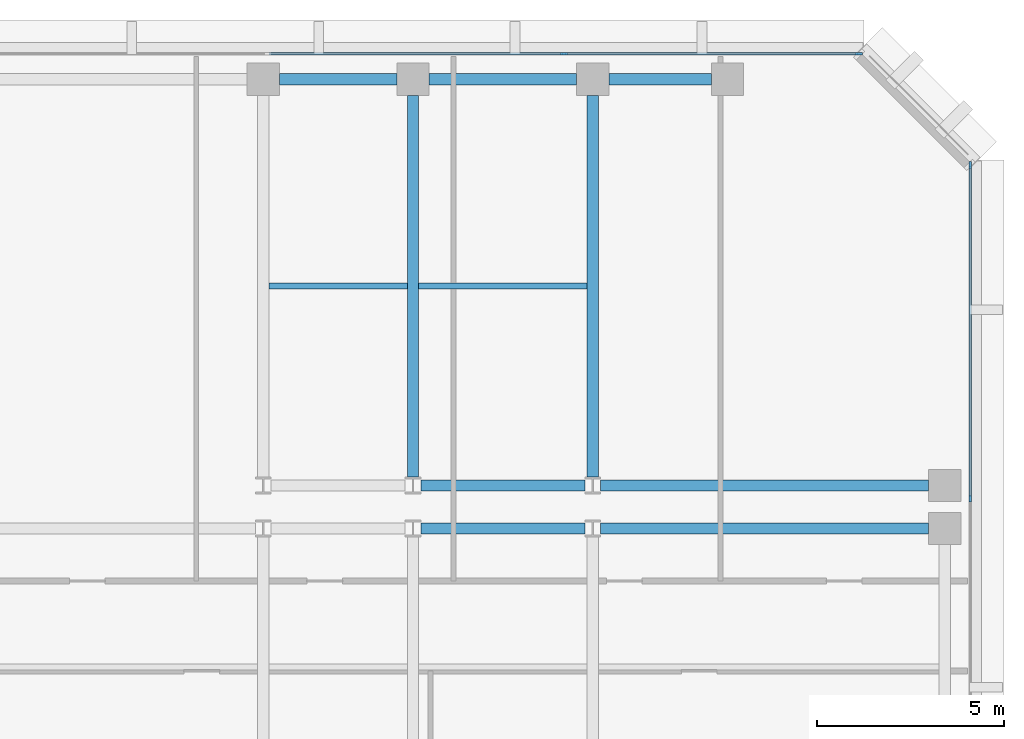
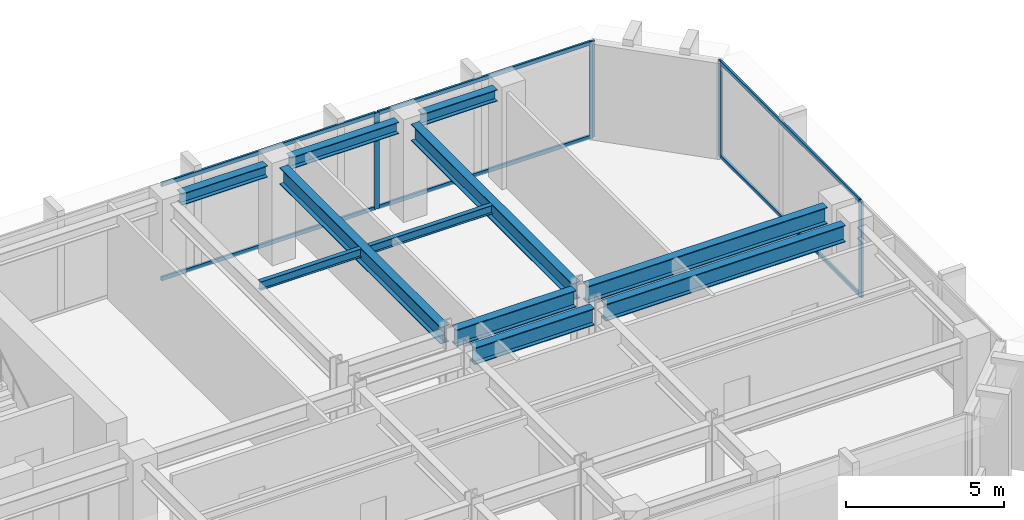
# One storey, part 5 of 11: 11 beams, 10 members, 2 elements without a shape of their own.
"""IFC4 building model written with IfcOpenShell, lengths in metres."""

from ifc_helpers import new_model, si_unit, direction, frame, origin, origin_2d, place, context, subcontext, project, spatial, rectangle, i_section, extrude, material, layer, layer_set, material_profile, profile_set, type_object, element, aggregate, save


model = new_model("IFC4")

# Units and contexts
model_context = context("Model", 3, precision=1e-05, world=origin(), true_north=direction((0.0, 1.0)))
body_context = subcontext(model_context, "Body", "Model", "MODEL_VIEW")
ifc_project = project(units=[si_unit("LENGTHUNIT", "METRE"), si_unit("AREAUNIT", "SQUARE_METRE"), si_unit("VOLUMEUNIT", "CUBIC_METRE"), si_unit("PLANEANGLEUNIT", "RADIAN"), si_unit("MASSUNIT", "GRAM", prefix="KILO")], contexts=[model_context])

# Site, building, storey
site_placement = place(None, origin())
site = spatial("IfcSite", under=ifc_project, at=site_placement, CompositionType="ELEMENT")
building_placement = place(site_placement, origin())
building = spatial("IfcBuilding", under=site, at=building_placement, Name="Kefirva Bronze Tower", CompositionType="ELEMENT")
storey_placement = place(building_placement, frame((0.0, 0.0, 138.929931640625)))
storey = spatial("IfcBuildingStorey", under=building, at=storey_placement, Name="L33", CompositionType="ELEMENT", Elevation=138.929931640625)

# Curtain wall, members
ifc_material_1 = material(Name="Bronze anodised aluminium", Category="aluminium")
ifc_layer = layer(ifc_material_1, 0.199951171875, Name="Bronze anodised aluminium")
ifc_layer_set = layer_set([ifc_layer], Name="Bronze anodised aluminium")
curtain_wall_type = type_object("IfcCurtainWallType", Name="Unitised Bronze Ribbon Curtain Wall Zone 2", PredefinedType="USERDEFINED", material=ifc_layer_set)
curtain_wall_1_placement = place(storey_placement, origin())
curtain_wall_1 = element("IfcCurtainWall", 1, at=curtain_wall_1_placement, inside=storey, type_object=curtain_wall_type, Name="L33 Curtain Wall 4", ObjectType="UNITISED CURTAIN WALL", PredefinedType="USERDEFINED")
ifc_material_profile_1 = material_profile(ifc_material_1, rectangle(XDim=0.074951171875, YDim=0.179931640625, at=origin_2d()), Name="ALU 75x180")
ifc_profile_set_1 = profile_set([ifc_material_profile_1], Name="Bronze anodised aluminium")
member_type_1 = type_object("IfcMemberType", Name="Bronze Mullion 75x180", PredefinedType="MULLION", material=ifc_profile_set_1)
member_1_placement = place(storey_placement, frame((50.080078125, 34.0, 0.0), z_axis=(0.0, 0.0, 1.0), x_axis=(-1.0, 0.0, 0.0)))
member_1 = element("IfcMember", 2, at=member_1_placement, type_object=member_type_1, Name="CW-02 mullion 2", PredefinedType="MULLION", context=body_context, shape_type="SweptSolid", body=[
    extrude(rectangle(XDim=0.074951171875, YDim=0.179931640625, at=origin_2d()), origin(), (0.0, 0.0, 1.0), 3.7099609375),
])
member_2_placement = place(storey_placement, frame((50.080078125, 42.907470703125, 0.0), z_axis=(0.0, 0.0, 1.0), x_axis=(-1.0, 0.0, 0.0)))
member_2 = element("IfcMember", 3, at=member_2_placement, type_object=member_type_1, Name="CW-02 mullion 3", PredefinedType="MULLION", context=body_context, shape_type="SweptSolid", body=[
    extrude(rectangle(XDim=0.074951171875, YDim=0.179931640625, at=origin_2d()), origin(), (0.0, 0.0, 1.0), 3.7099609375),
])

curtain_wall_2_placement = place(storey_placement, origin())
curtain_wall_2 = element("IfcCurtainWall", 4, at=curtain_wall_2_placement, inside=storey, type_object=curtain_wall_type, Name="L33 Curtain Wall 5", ObjectType="UNITISED CURTAIN WALL", PredefinedType="USERDEFINED")
member_3_placement = place(storey_placement, frame((47.107421875, 45.8798828125, 0.0), z_axis=(0.0, 0.0, 1.0), x_axis=(0.0, -1.0, 0.0)))
member_3 = element("IfcMember", 5, at=member_3_placement, type_object=member_type_1, Name="CW-02 mullion 1", PredefinedType="MULLION", context=body_context, shape_type="SweptSolid", body=[
    extrude(rectangle(XDim=0.074951171875, YDim=0.179931640625, at=origin_2d()), origin(), (0.0, 0.0, 1.0), 3.7099609375),
])
member_4_placement = place(storey_placement, frame((39.231689453125, 45.8798828125, 0.0), z_axis=(0.0, 0.0, 1.0), x_axis=(0.0, -1.0, 0.0)))
member_4 = element("IfcMember", 6, at=member_4_placement, type_object=member_type_1, Name="CW-02 mullion 2", PredefinedType="MULLION", context=body_context, shape_type="SweptSolid", body=[
    extrude(rectangle(XDim=0.074951171875, YDim=0.179931640625, at=origin_2d()), origin(), (0.0, 0.0, 1.0), 3.7099609375),
])

# Member
ifc_material_profile_2 = material_profile(ifc_material_1, rectangle(XDim=0.074951171875, YDim=0.14990234375, at=origin_2d()), Name="ALU 75x150")
ifc_profile_set_2 = profile_set([ifc_material_profile_2], Name="Bronze anodised aluminium")
member_type_2 = type_object("IfcMemberType", Name="Bronze Transom 75x150", PredefinedType="USERDEFINED", material=ifc_profile_set_2)
member_5_placement = place(storey_placement, frame((50.080078125, 34.03759765625, 0.03759765625), z_axis=(0.0, 1.0, 0.0), x_axis=(-1.0, 0.0, 0.0)))
member_5 = element("IfcMember", 7, at=member_5_placement, type_object=member_type_2, Name="CW-02 transom 2.1", ObjectType="TRANSOM", PredefinedType="USERDEFINED", context=body_context, shape_type="SweptSolid", body=[
    extrude(rectangle(XDim=0.074951171875, YDim=0.14990234375, at=origin_2d()), origin(), (0.0, 0.0, 1.0), 8.83251953125),
])

member_6_placement = place(storey_placement, frame((50.080078125, 34.03759765625, 3.672607421875), z_axis=(0.0, 1.0, 0.0), x_axis=(-1.0, 0.0, 0.0)))
member_6 = element("IfcMember", 8, at=member_6_placement, type_object=member_type_2, Name="CW-02 transom 2.2", ObjectType="TRANSOM", PredefinedType="USERDEFINED", context=body_context, shape_type="SweptSolid", body=[
    extrude(rectangle(XDim=0.074951171875, YDim=0.14990234375, at=origin_2d()), origin(), (0.0, 0.0, 1.0), 8.83251953125),
])

aggregate(curtain_wall_1, [member_1, member_2, member_5, member_6])

member_7_placement = place(storey_placement, frame((47.070068359375, 45.8798828125, 0.03759765625), z_axis=(-1.0, 0.0, 0.0), x_axis=(0.0, -1.0, 0.0)))
member_7 = element("IfcMember", 9, at=member_7_placement, type_object=member_type_2, Name="CW-02 transom 1.1", ObjectType="TRANSOM", PredefinedType="USERDEFINED", context=body_context, shape_type="SweptSolid", body=[
    extrude(rectangle(XDim=0.074951171875, YDim=0.14990234375, at=origin_2d()), origin(), (0.0, 0.0, 1.0), 7.80078125),
])

member_8_placement = place(storey_placement, frame((47.070068359375, 45.8798828125, 3.672607421875), z_axis=(-1.0, 0.0, 0.0), x_axis=(0.0, -1.0, 0.0)))
member_8 = element("IfcMember", 10, at=member_8_placement, type_object=member_type_2, Name="CW-02 transom 1.2", ObjectType="TRANSOM", PredefinedType="USERDEFINED", context=body_context, shape_type="SweptSolid", body=[
    extrude(rectangle(XDim=0.074951171875, YDim=0.14990234375, at=origin_2d()), origin(), (0.0, 0.0, 1.0), 7.80078125),
])

member_9_placement = place(storey_placement, frame((39.194091796875, 45.8798828125, 0.03759765625), z_axis=(-1.0, 0.0, 0.0), x_axis=(0.0, -1.0, 0.0)))
member_9 = element("IfcMember", 11, at=member_9_placement, type_object=member_type_2, Name="CW-02 transom 2.1", ObjectType="TRANSOM", PredefinedType="USERDEFINED", context=body_context, shape_type="SweptSolid", body=[
    extrude(rectangle(XDim=0.074951171875, YDim=0.14990234375, at=origin_2d()), origin(), (0.0, 0.0, 1.0), 7.83837890625),
])

member_10_placement = place(storey_placement, frame((39.194091796875, 45.8798828125, 3.672607421875), z_axis=(-1.0, 0.0, 0.0), x_axis=(0.0, -1.0, 0.0)))
member_10 = element("IfcMember", 12, at=member_10_placement, type_object=member_type_2, Name="CW-02 transom 2.2", ObjectType="TRANSOM", PredefinedType="USERDEFINED", context=body_context, shape_type="SweptSolid", body=[
    extrude(rectangle(XDim=0.074951171875, YDim=0.14990234375, at=origin_2d()), origin(), (0.0, 0.0, 1.0), 7.83837890625),
])

aggregate(curtain_wall_2, [member_3, member_4, member_7, member_8, member_9, member_10])

# Beams
ifc_material_2 = material(Name="Steel S355", Category="steel")
ifc_material_profile_3 = material_profile(ifc_material_2, i_section(OverallWidth=0.159912109375, OverallDepth=0.330078125, WebThickness=0.007568359375, FlangeThickness=0.011474609375, at=origin_2d()), Name="IPE 330")
ifc_profile_set_3 = profile_set([ifc_material_profile_3], Name="Steel S355")
beam_type_1 = type_object("IfcBeamType", Name="Steel Floor Joist IPE 330", PredefinedType="JOIST", material=ifc_profile_set_3)
beam_1_placement = place(storey_placement, frame((31.35009765625, 39.673583984375, 3.545166015625), z_axis=(1.0, 0.0, 0.0), x_axis=(0.0, 1.0, 0.0)))
element("IfcBeam", 13, at=beam_1_placement, inside=storey, type_object=beam_type_1, Name="L33 JST-L33-31-396", PredefinedType="JOIST", context=body_context, shape_type="SweptSolid", body=[
    extrude(i_section(OverallWidth=0.159912109375, OverallDepth=0.330078125, WebThickness=0.007568359375, FlangeThickness=0.011474609375, at=origin_2d()), origin(), (0.0, 0.0, 1.0), 3.699951171875),
])
beam_2_placement = place(storey_placement, frame((35.35009765625, 39.673583984375, 3.545166015625), z_axis=(1.0, 0.0, 0.0), x_axis=(0.0, 1.0, 0.0)))
element("IfcBeam", 14, at=beam_2_placement, inside=storey, type_object=beam_type_1, Name="L33 JST-L33-35-396", PredefinedType="JOIST", context=body_context, shape_type="SweptSolid", body=[
    extrude(i_section(OverallWidth=0.159912109375, OverallDepth=0.330078125, WebThickness=0.007568359375, FlangeThickness=0.011474609375, at=origin_2d()), origin(), (0.0, 0.0, 1.0), 4.5),
])
ifc_material_profile_4 = material_profile(ifc_material_2, i_section(OverallWidth=0.300048828125, OverallDepth=0.64990234375, WebThickness=0.01611328125, FlangeThickness=0.031005859375, at=origin_2d()), Name="HEB 650")
ifc_profile_set_4 = profile_set([ifc_material_profile_4], Name="Steel S355")
beam_type_2 = type_object("IfcBeamType", Name="Steel Girder HEB 650", PredefinedType="USERDEFINED", material=ifc_profile_set_4)
beam_3_placement = place(storey_placement, frame((35.408935546875, 33.199951171875, 3.385009765625), z_axis=(1.0, 0.0, 0.0), x_axis=(0.0, 1.0, 0.0)))
element("IfcBeam", 15, at=beam_3_placement, inside=storey, type_object=beam_type_2, Name="L33 BM-L33-EW-35-332", ObjectType="GIRDER", PredefinedType="USERDEFINED", context=body_context, shape_type="SweptSolid", body=[
    extrude(i_section(OverallWidth=0.300048828125, OverallDepth=0.64990234375, WebThickness=0.01611328125, FlangeThickness=0.031005859375, at=origin_2d()), origin(), (0.0, 0.0, 1.0), 4.382080078125),
])
beam_4_placement = place(storey_placement, frame((40.208984375, 33.199951171875, 3.385009765625), z_axis=(1.0, 0.0, 0.0), x_axis=(0.0, 1.0, 0.0)))
element("IfcBeam", 16, at=beam_4_placement, inside=storey, type_object=beam_type_2, Name="L33 BM-L33-EW-40-332", ObjectType="GIRDER", PredefinedType="USERDEFINED", context=body_context, shape_type="SweptSolid", body=[
    extrude(i_section(OverallWidth=0.300048828125, OverallDepth=0.64990234375, WebThickness=0.01611328125, FlangeThickness=0.031005859375, at=origin_2d()), origin(), (0.0, 0.0, 1.0), 8.760986328125),
])
beam_5_placement = place(storey_placement, frame((35.408935546875, 34.35009765625, 3.385009765625), z_axis=(1.0, 0.0, 0.0), x_axis=(0.0, 1.0, 0.0)))
element("IfcBeam", 17, at=beam_5_placement, inside=storey, type_object=beam_type_2, Name="L33 BM-L33-EW-35-344", ObjectType="GIRDER", PredefinedType="USERDEFINED", context=body_context, shape_type="SweptSolid", body=[
    extrude(i_section(OverallWidth=0.300048828125, OverallDepth=0.64990234375, WebThickness=0.01611328125, FlangeThickness=0.031005859375, at=origin_2d()), origin(), (0.0, 0.0, 1.0), 4.382080078125),
])
beam_6_placement = place(storey_placement, frame((40.208984375, 34.35009765625, 3.385009765625), z_axis=(1.0, 0.0, 0.0), x_axis=(0.0, 1.0, 0.0)))
element("IfcBeam", 18, at=beam_6_placement, inside=storey, type_object=beam_type_2, Name="L33 BM-L33-EW-40-344", ObjectType="GIRDER", PredefinedType="USERDEFINED", context=body_context, shape_type="SweptSolid", body=[
    extrude(i_section(OverallWidth=0.300048828125, OverallDepth=0.64990234375, WebThickness=0.01611328125, FlangeThickness=0.031005859375, at=origin_2d()), origin(), (0.0, 0.0, 1.0), 8.760986328125),
])
for number, where, z_axis, x_axis, name in (
    (19, (35.199951171875, 34.577392578125, 3.385009765625), (0.0, 1.0, 0.0), (-1.0, 0.0, 0.0), "L33 BM-L33-NS-352-34"),
    (20, (40.0, 34.577392578125, 3.385009765625), (0.0, 1.0, 0.0), (-1.0, 0.0, 0.0), "L33 BM-L33-NS-400-34"),
):
    element("IfcBeam", number, at=place(storey_placement, frame(where, z_axis=z_axis, x_axis=x_axis)), inside=storey, type_object=beam_type_2, Name=name, ObjectType="GIRDER", PredefinedType="USERDEFINED", context=body_context, shape_type="SweptSolid", body=[
        extrude(i_section(OverallWidth=0.300048828125, OverallDepth=0.64990234375, WebThickness=0.01611328125, FlangeThickness=0.031005859375, at=origin_2d()), origin(), (0.0, 0.0, 1.0), 10.192626953125),
    ])
ifc_material_profile_5 = material_profile(ifc_material_2, i_section(OverallWidth=0.300048828125, OverallDepth=0.449951171875, WebThickness=0.013916015625, FlangeThickness=0.02587890625, at=origin_2d()), Name="HEB 450")
ifc_profile_set_5 = profile_set([ifc_material_profile_5], Name="Steel S355")
beam_type_3 = type_object("IfcBeamType", Name="Steel Spandrel HEB 450 Ext", PredefinedType="SPANDREL", material=ifc_profile_set_5)
beam_7_placement = place(storey_placement, frame((31.6298828125, 45.199951171875, 3.485107421875), z_axis=(1.0, 0.0, 0.0), x_axis=(0.0, 1.0, 0.0)))
element("IfcBeam", 21, at=beam_7_placement, inside=storey, type_object=beam_type_3, Name="L33 BM-L33-EW-31-452", PredefinedType="SPANDREL", context=body_context, shape_type="SweptSolid", body=[
    extrude(i_section(OverallWidth=0.300048828125, OverallDepth=0.449951171875, WebThickness=0.013916015625, FlangeThickness=0.02587890625, at=origin_2d()), origin(), (0.0, 0.0, 1.0), 3.14013671875),
])
beam_8_placement = place(storey_placement, frame((35.6298828125, 45.199951171875, 3.485107421875), z_axis=(1.0, 0.0, 0.0), x_axis=(0.0, 1.0, 0.0)))
element("IfcBeam", 22, at=beam_8_placement, inside=storey, type_object=beam_type_3, Name="L33 BM-L33-EW-35-452", PredefinedType="SPANDREL", context=body_context, shape_type="SweptSolid", body=[
    extrude(i_section(OverallWidth=0.300048828125, OverallDepth=0.449951171875, WebThickness=0.013916015625, FlangeThickness=0.02587890625, at=origin_2d()), origin(), (0.0, 0.0, 1.0), 3.940185546875),
])
beam_9_placement = place(storey_placement, frame((40.429931640625, 45.199951171875, 3.485107421875), z_axis=(1.0, 0.0, 0.0), x_axis=(0.0, 1.0, 0.0)))
element("IfcBeam", 23, at=beam_9_placement, inside=storey, type_object=beam_type_3, Name="L33 BM-L33-EW-40-452", PredefinedType="SPANDREL", context=body_context, shape_type="SweptSolid", body=[
    extrude(i_section(OverallWidth=0.300048828125, OverallDepth=0.449951171875, WebThickness=0.013916015625, FlangeThickness=0.02587890625, at=origin_2d()), origin(), (0.0, 0.0, 1.0), 2.739990234375),
])

save(model, "model.ifc")
